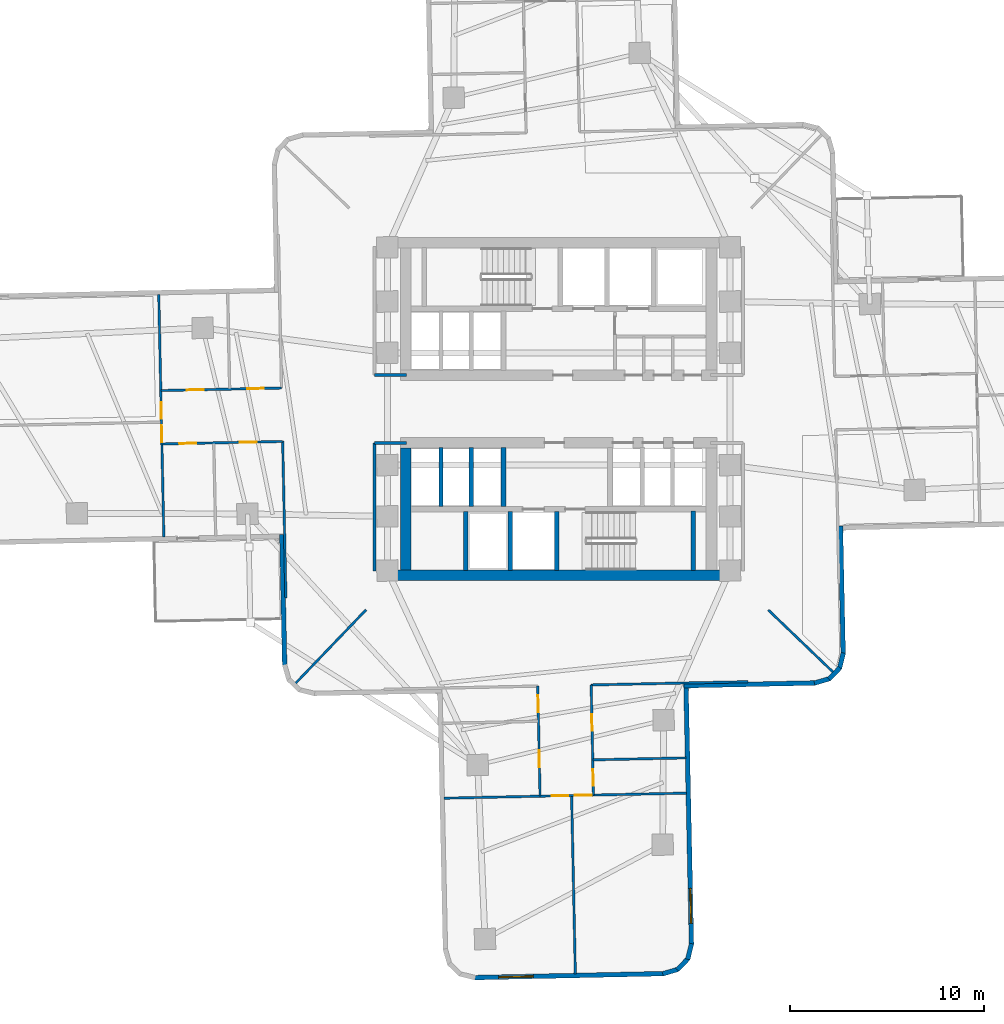
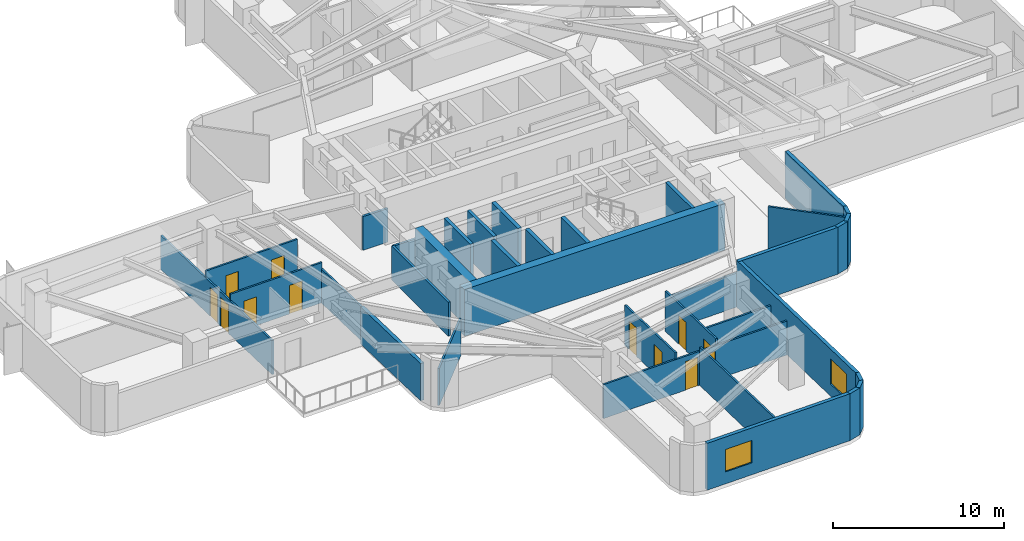
# One storey, part 3 of 10: 35 walls, 12 doors, 2 windows, 14 openings.
"""IFC4 building model written with IfcOpenShell, lengths in metres."""

from ifc_helpers import new_model, si_unit, direction, frame, frame_2d, origin, place, context, subcontext, project, spatial, rectangle, extrude, material, layer, layer_set, type_object, element, fill, save


model = new_model("IFC4")

# Units and contexts
model_context = context("Model", 3, precision=1e-05, world=origin(), true_north=direction((0.0, 1.0)))
body_context = subcontext(model_context, "Body", "Model", "MODEL_VIEW")
ifc_project = project(units=[si_unit("LENGTHUNIT", "METRE"), si_unit("AREAUNIT", "SQUARE_METRE"), si_unit("VOLUMEUNIT", "CUBIC_METRE"), si_unit("PLANEANGLEUNIT", "RADIAN"), si_unit("MASSUNIT", "GRAM", prefix="KILO")], contexts=[model_context])

# Site, building, storey
site_placement = place(None, origin())
site = spatial("IfcSite", under=ifc_project, at=site_placement, CompositionType="ELEMENT")
building_placement = place(site_placement, origin())
building = spatial("IfcBuilding", under=site, at=building_placement, Name="Solmarez Civic Tower", CompositionType="ELEMENT")
storey_placement = place(building_placement, frame((0.0, 0.0, 35.280029296875)))
storey = spatial("IfcBuildingStorey", under=building, at=storey_placement, Name="L08", CompositionType="ELEMENT", Elevation=35.280029296875)

# Walls
ifc_material_1 = material(Name="Concrete C60/75", Category="concrete")
ifc_layer_1 = layer(ifc_material_1, 0.550048828125)
ifc_layer_set_1 = layer_set([ifc_layer_1], Name="Concrete C60/75")
wall_type_1 = type_object("IfcWallType", Name="WALL-CORE-550", PredefinedType="SHEAR", material=ifc_layer_set_1)
wall_1_placement = place(storey_placement, frame((8.780029296875, -8.5849609375, 0.0), z_axis=(0.0, 0.0, 1.0), x_axis=(-1.0, 0.0, 0.0)))
element("IfcWall", 1, at=wall_1_placement, inside=storey, type_object=wall_type_1, Name="L08 Split-Core Structural Wall SCW-S-L08", PredefinedType="SHEAR", context=body_context, shape_type="SweptSolid", body=[
    extrude(rectangle(XDim=17.56005859375, YDim=0.550048828125, at=frame_2d((8.780029296875, 0.0))), origin(), (0.0, 0.0, 1.0), 3.340087890625),
])
wall_2_placement = place(storey_placement, frame((-7.89501953125, -8.31005859375, 0.0), z_axis=(0.0, 0.0, 1.0), x_axis=(0.0, 1.0, 0.0)))
element("IfcWall", 2, at=wall_2_placement, inside=storey, type_object=wall_type_1, Name="L08 Split-Core Structural Wall SCW-W-L08", PredefinedType="SHEAR", context=body_context, shape_type="SweptSolid", body=[
    extrude(rectangle(XDim=6.28515625, YDim=0.550048828125, at=frame_2d((3.142578125, 0.0))), origin(), (0.0, 0.0, 1.0), 3.340087890625),
])
ifc_material_2 = material(Name="Precast concrete C40/50", Category="concrete")
ifc_layer_2 = layer(ifc_material_2, 0.239990234375)
ifc_layer_set_2 = layer_set([ifc_layer_2], Name="Precast concrete C40/50")
wall_type_2 = type_object("IfcWallType", Name="WALL-EXT-240", PredefinedType="SOLIDWALL", material=ifc_layer_set_2)
wall_3_placement = place(storey_placement, frame((14.55908203125, -6.041015625, 0.0), z_axis=(0.0, 0.0, 1.0), x_axis=(0.021149327571, -0.999776327957, 0.0)))
element("IfcWall", 3, at=wall_3_placement, inside=storey, type_object=wall_type_2, Name="L08 Exterior Precast Wall 49", PredefinedType="SOLIDWALL", context=body_context, shape_type="SweptSolid", body=[
    extrude(rectangle(XDim=6.614501953125, YDim=0.239990234375, at=frame_2d((3.30712890625, 0.0))), origin(), (0.0, 0.0, 1.0), 3.340087890625),
])
wall_4_placement = place(storey_placement, frame((14.7041015625, -12.60498046875, 0.0), z_axis=(0.0, 0.0, 1.0), x_axis=(-0.238588013371, -0.971120878097, 0.0)))
element("IfcWall", 4, at=wall_4_placement, inside=storey, type_object=wall_type_2, Name="L08 Exterior Precast Wall 50", PredefinedType="SOLIDWALL", context=body_context, shape_type="SweptSolid", body=[
    extrude(rectangle(XDim=0.829833984375, YDim=0.239990234375, at=frame_2d((0.4150390625, 0.0))), origin(), (0.0, 0.0, 1.0), 3.340087890625),
])
wall_5_placement = place(storey_placement, frame((14.529052734375, -13.368896484375, 0.0), z_axis=(0.0, 0.0, 1.0), x_axis=(-0.692094379202, -0.721807017337, 0.0)))
element("IfcWall", 5, at=wall_5_placement, inside=storey, type_object=wall_type_2, Name="L08 Exterior Precast Wall 51", PredefinedType="SOLIDWALL", context=body_context, shape_type="SweptSolid", body=[
    extrude(rectangle(XDim=0.8134765625, YDim=0.239990234375, at=frame_2d((0.40673828125, 0.0))), origin(), (0.0, 0.0, 1.0), 3.340087890625),
])
wall_6_placement = place(storey_placement, frame((14.007080078125, -13.930908203125, 0.0), z_axis=(0.0, 0.0, 1.0), x_axis=(-0.960102033401, -0.279649933772, 0.0)))
element("IfcWall", 6, at=wall_6_placement, inside=storey, type_object=wall_type_2, Name="L08 Exterior Precast Wall 52", PredefinedType="SOLIDWALL", context=body_context, shape_type="SweptSolid", body=[
    extrude(rectangle(XDim=0.830322265625, YDim=0.239990234375, at=frame_2d((0.4150390625, 0.0))), origin(), (0.0, 0.0, 1.0), 3.340087890625),
])
wall_7_placement = place(storey_placement, frame((13.259033203125, -14.155029296875, 0.0), z_axis=(0.0, 0.0, 1.0), x_axis=(-0.999777124284, -0.021111649844, 0.0)))
element("IfcWall", 7, at=wall_7_placement, inside=storey, type_object=wall_type_2, Name="L08 Exterior Precast Wall 53", PredefinedType="SOLIDWALL", context=body_context, shape_type="SweptSolid", body=[
    extrude(rectangle(XDim=6.776611328125, YDim=0.239990234375, at=frame_2d((3.38818359375, 0.0))), origin(), (0.0, 0.0, 1.0), 3.340087890625),
])

# Wall, opening, window
wall_8_placement = place(storey_placement, frame((6.577880859375, -14.199951171875, 0.0), z_axis=(0.0, 0.0, 1.0), x_axis=(0.021016704444, -0.999779124674, 0.0)))
wall_8 = element("IfcWall", 8, at=wall_8_placement, inside=storey, type_object=wall_type_2, Name="L08 Exterior Precast Wall 56", PredefinedType="SOLIDWALL", context=body_context, shape_type="SweptSolid", body=[
    extrude(rectangle(XDim=13.47509765625, YDim=0.239990234375, at=frame_2d((6.737548828125, 0.0))), origin(), (0.0, 0.0, 1.0), 3.340087890625),
])
opening_1_placement = place(wall_8_placement, frame((10.574951171875, 0.0, 0.85009765625)))
opening_1 = element("IfcOpeningElement", 9, at=opening_1_placement, cuts=wall_8, Name="Opening W-08", PredefinedType="OPENING", context=body_context, shape_type="SweptSolid", body=[
    extrude(rectangle(XDim=1.800048828125, YDim=1.800048828125, at=frame_2d((0.89990234375, 0.89990234375))), frame((0.0, 0.1298828125, 0.0), z_axis=(0.0, -1.0, 0.0), x_axis=(1.0, 0.0, 0.0)), (0.0, 0.0, 1.0), 0.260009765625),
])
ifc_material_3 = material(Name="Solar Control Bronze-Tinted Insulating Glass", Category="glass")
window_type_1 = type_object("IfcWindowType", Name="WIN-1800X1800", PartitioningType="SINGLE_PANEL", PredefinedType="WINDOW", material=ifc_material_3)
window_1_placement = place(opening_1_placement, origin())
window_1 = element("IfcWindow", 10, at=window_1_placement, inside=storey, type_object=window_type_1, Name="L08 Exterior Facade Window 56", OverallHeight=1.800048828125, OverallWidth=1.800048828125, PartitioningType="SINGLE_PANEL", PredefinedType="WINDOW", context=body_context, shape_type="SweptSolid", body=[
    extrude(rectangle(XDim=1.800048828125, YDim=1.800048828125, at=frame_2d((0.89990234375, 0.89990234375))), frame((0.0, 0.030029296875, 0.0), z_axis=(0.0, -1.0, 0.0), x_axis=(1.0, 0.0, 0.0)), (0.0, 0.0, 1.0), 0.06005859375),
])
fill(opening_1, window_1)

# Walls
wall_9_placement = place(storey_placement, frame((6.865966796875, -27.623046875, 0.0), z_axis=(0.0, 0.0, 1.0), x_axis=(-0.238860968489, -0.971053776952, 0.0)))
element("IfcWall", 11, at=wall_9_placement, inside=storey, type_object=wall_type_2, Name="L08 Exterior Precast Wall 57", PredefinedType="SOLIDWALL", context=body_context, shape_type="SweptSolid", body=[
    extrude(rectangle(XDim=0.828857421875, YDim=0.239990234375, at=frame_2d((0.41455078125, 0.0))), origin(), (0.0, 0.0, 1.0), 3.340087890625),
])
wall_10_placement = place(storey_placement, frame((6.69091796875, -28.385986328125, 0.0), z_axis=(0.0, 0.0, 1.0), x_axis=(-0.690868229845, -0.722980697523, 0.0)))
element("IfcWall", 12, at=wall_10_placement, inside=storey, type_object=wall_type_2, Name="L08 Exterior Precast Wall 58", PredefinedType="SOLIDWALL", context=body_context, shape_type="SweptSolid", body=[
    extrude(rectangle(XDim=0.8134765625, YDim=0.239990234375, at=frame_2d((0.40673828125, 0.0))), origin(), (0.0, 0.0, 1.0), 3.340087890625),
])
wall_11_placement = place(storey_placement, frame((6.169921875, -28.948974609375, 0.0), z_axis=(0.0, 0.0, 1.0), x_axis=(-0.960564264415, -0.278058076541, 0.0)))
element("IfcWall", 13, at=wall_11_placement, inside=storey, type_object=wall_type_2, Name="L08 Exterior Precast Wall 59", PredefinedType="SOLIDWALL", context=body_context, shape_type="SweptSolid", body=[
    extrude(rectangle(XDim=0.83056640625, YDim=0.239990234375, at=frame_2d((0.415283203125, 0.0))), origin(), (0.0, 0.0, 1.0), 3.340087890625),
])

# Wall, opening, window
wall_12_placement = place(storey_placement, frame((5.4208984375, -29.172119140625, 0.0), z_axis=(0.0, 0.0, 1.0), x_axis=(-0.999778461458, -0.021048230433, 0.0)))
wall_12 = element("IfcWall", 14, at=wall_12_placement, inside=storey, type_object=wall_type_2, Name="L08 Exterior Precast Wall 60", PredefinedType="SOLIDWALL", context=body_context, shape_type="SweptSolid", body=[
    extrude(rectangle(XDim=9.778076171875, YDim=0.239990234375, at=frame_2d((4.88916015625, 0.0))), origin(), (0.0, 0.0, 1.0), 3.340087890625),
])
opening_2_placement = place(wall_12_placement, frame((6.72705078125, 0.0, 0.85009765625)))
opening_2 = element("IfcOpeningElement", 15, at=opening_2_placement, cuts=wall_12, Name="Opening W-12", PredefinedType="OPENING", context=body_context, shape_type="SweptSolid", body=[
    extrude(rectangle(XDim=1.800048828125, YDim=1.60009765625, at=frame_2d((0.89990234375, 0.800048828125))), frame((0.0, 0.1298828125, 0.0), z_axis=(0.0, -1.0, 0.0), x_axis=(1.0, 0.0, 0.0)), (0.0, 0.0, 1.0), 0.260009765625),
])
window_type_2 = type_object("IfcWindowType", Name="WIN-1800X1600", PartitioningType="SINGLE_PANEL", PredefinedType="WINDOW", material=ifc_material_3)
window_2_placement = place(opening_2_placement, origin())
window_2 = element("IfcWindow", 16, at=window_2_placement, inside=storey, type_object=window_type_2, Name="L08 Exterior Facade Window 60", OverallHeight=1.60009765625, OverallWidth=1.800048828125, PartitioningType="SINGLE_PANEL", PredefinedType="WINDOW", context=body_context, shape_type="SweptSolid", body=[
    extrude(rectangle(XDim=1.800048828125, YDim=1.60009765625, at=frame_2d((0.89990234375, 0.800048828125))), frame((0.0, 0.030029296875, 0.0), z_axis=(0.0, -1.0, 0.0), x_axis=(1.0, 0.0, 0.0)), (0.0, 0.0, 1.0), 0.06005859375),
])
fill(opening_2, window_2)

# Walls
wall_13_placement = place(storey_placement, frame((-14.155029296875, -13.259033203125, 0.0), z_axis=(0.0, 0.0, 1.0), x_axis=(-0.021111649844, 0.999777124284, 0.0)))
element("IfcWall", 17, at=wall_13_placement, inside=storey, type_object=wall_type_2, Name="L08 Exterior Precast Wall 71", PredefinedType="SOLIDWALL", context=body_context, shape_type="SweptSolid", body=[
    extrude(rectangle(XDim=6.776611328125, YDim=0.239990234375, at=frame_2d((3.38818359375, 0.0))), origin(), (0.0, 0.0, 1.0), 2.64404296875),
])
ifc_material_4 = material(Name="Gypsum Board Acoustic Steel-Stud Partition", Category="steel")
ifc_layer_3 = layer(ifc_material_4, 0.14990234375)
ifc_layer_set_3 = layer_set([ifc_layer_3], Name="Gypsum Board Acoustic Steel-Stud Partition")
wall_type_3 = type_object("IfcWallType", Name="WALL-INT-FIRE-150", PredefinedType="PARTITIONING", material=ifc_layer_set_3)
wall_14_placement = place(storey_placement, frame((-7.85009765625, 1.75, 0.0), z_axis=(0.0, 0.0, 1.0), x_axis=(-1.0, 0.0, 0.0)))
element("IfcWall", 18, at=wall_14_placement, inside=storey, type_object=wall_type_3, Name="L08 Interior Partition CHW-L08-WN3", PredefinedType="PARTITIONING", context=body_context, shape_type="SweptSolid", body=[
    extrude(rectangle(XDim=1.669921875, YDim=0.14990234375, at=frame_2d((0.8349609375, 0.0))), origin(), (0.0, 0.0, 1.0), 2.405029296875),
])
wall_15_placement = place(storey_placement, frame((-9.52001953125, -8.3798828125, 0.0), z_axis=(0.0, 0.0, 1.0), x_axis=(0.0, 1.0, 0.0)))
element("IfcWall", 19, at=wall_15_placement, inside=storey, type_object=wall_type_3, Name="L08 Interior Partition CHW-L08-WS1", PredefinedType="PARTITIONING", context=body_context, shape_type="SweptSolid", body=[
    extrude(rectangle(XDim=6.6298828125, YDim=0.14990234375, at=frame_2d((3.31494140625, 0.0))), origin(), (0.0, 0.0, 1.0), 2.4208984375),
])
wall_16_placement = place(storey_placement, frame((-7.85009765625, -1.75, 0.0), z_axis=(0.0, 0.0, 1.0), x_axis=(-1.0, 0.0, 0.0)))
element("IfcWall", 20, at=wall_16_placement, inside=storey, type_object=wall_type_3, Name="L08 Interior Partition CHW-L08-WS3", PredefinedType="PARTITIONING", context=body_context, shape_type="SweptSolid", body=[
    extrude(rectangle(XDim=1.669921875, YDim=0.14990234375, at=frame_2d((0.8349609375, 0.0))), origin(), (0.0, 0.0, 1.0), 2.405029296875),
])
ifc_layer_4 = layer(ifc_material_4, 0.1201171875)
ifc_layer_set_4 = layer_set([ifc_layer_4], Name="Gypsum Board Acoustic Steel-Stud Partition")
wall_type_4 = type_object("IfcWallType", Name="WALL-INT-PART-120", PredefinedType="PARTITIONING", material=ifc_layer_set_4)
wall_17_placement = place(storey_placement, frame((-9.9541015625, -10.3798828125, 0.0), z_axis=(0.0, 0.0, 1.0), x_axis=(-0.692136602063, -0.721766530178, 0.0)))
element("IfcWall", 21, at=wall_17_placement, inside=storey, type_object=wall_type_4, Name="L08 Interior Partition PT-L08-QDIV-3", PredefinedType="PARTITIONING", context=body_context, shape_type="SweptSolid", body=[
    extrude(rectangle(XDim=5.2734375, YDim=0.1201171875, at=frame_2d((2.63671875, 0.0))), origin(), (0.0, 0.0, 1.0), 2.64404296875),
])
wall_18_placement = place(storey_placement, frame((10.823974609375, -10.3798828125, 0.0), z_axis=(0.0, 0.0, 1.0), x_axis=(0.721757981693, -0.692145516392, 0.0)))
element("IfcWall", 22, at=wall_18_placement, inside=storey, type_object=wall_type_4, Name="L08 Interior Partition PT-L08-QDIV-4", PredefinedType="PARTITIONING", context=body_context, shape_type="SweptSolid", body=[
    extrude(rectangle(XDim=4.658203125, YDim=0.1201171875, at=frame_2d((2.3291015625, 0.0))), origin(), (0.0, 0.0, 1.0), 3.340087890625),
])
wall_19_placement = place(storey_placement, frame((-14.258056640625, -1.6689453125, 0.0), z_axis=(0.0, 0.0, 1.0), x_axis=(0.020831948152, -0.999782991422, 0.0)))
element("IfcWall", 23, at=wall_19_placement, inside=storey, type_object=wall_type_4, Name="L08 Interior Partition PT-L08-W-EFL", PredefinedType="PARTITIONING", context=body_context, shape_type="SweptSolid", body=[
    extrude(rectangle(XDim=8.10986328125, YDim=0.1201171875, at=frame_2d((4.054931640625, 0.0))), origin(), (0.0, 0.0, 1.0), 2.4208984375),
])

# Wall, openings, doors
wall_20_placement = place(storey_placement, frame((-20.4970703125, -1.81005859375, 0.0), z_axis=(0.0, 0.0, 1.0), x_axis=(0.999779289494, 0.021008862393, 0.0)))
wall_20 = element("IfcWall", 24, at=wall_20_placement, inside=storey, type_object=wall_type_4, Name="L08 Interior Partition PT-L08-W-SL", PredefinedType="PARTITIONING", context=body_context, shape_type="SweptSolid", body=[
    extrude(rectangle(XDim=6.240478515625, YDim=0.1201171875, at=frame_2d((3.1201171875, 0.0))), origin(), (0.0, 0.0, 1.0), 2.868896484375),
])
opening_3_placement = place(wall_20_placement, frame((4.030029296875, 0.0, 0.0)))
opening_3 = element("IfcOpeningElement", 25, at=opening_3_placement, cuts=wall_20, Name="Opening D-14", PredefinedType="OPENING", context=body_context, shape_type="SweptSolid", body=[
    extrude(rectangle(XDim=0.860107421875, YDim=2.0400390625, at=frame_2d((0.43017578125, 1.02001953125))), frame((0.0, 0.070068359375, 0.0), z_axis=(0.0, -1.0, 0.0), x_axis=(1.0, 0.0, 0.0)), (0.0, 0.0, 1.0), 0.14013671875),
])
opening_4_placement = place(wall_20_placement, frame((0.909912109375, 0.0, 0.0)))
opening_4 = element("IfcOpeningElement", 26, at=opening_4_placement, cuts=wall_20, Name="Opening D-14", PredefinedType="OPENING", context=body_context, shape_type="SweptSolid", body=[
    extrude(rectangle(XDim=0.860107421875, YDim=2.0400390625, at=frame_2d((0.43017578125, 1.02001953125))), frame((0.0, 0.070068359375, 0.0), z_axis=(0.0, -1.0, 0.0), x_axis=(1.0, 0.0, 0.0)), (0.0, 0.0, 1.0), 0.14013671875),
])
ifc_material_5 = material(Name="Timber Storage and Pantry Door", Category="wood")
door_type = type_object("IfcDoorType", Name="DOOR-INT-850", OperationType="NOTDEFINED", PredefinedType="DOOR", material=ifc_material_5)
door_1_placement = place(opening_3_placement, origin())
door_1 = element("IfcDoor", 27, at=door_1_placement, inside=storey, type_object=door_type, Name="L08 Delegates Sitting Lounge First West Door", OperationType="SINGLE_SWING_LEFT", OverallHeight=2.0400390625, OverallWidth=0.860107421875, PredefinedType="DOOR", context=body_context, shape_type="SweptSolid", body=[
    extrude(rectangle(XDim=0.860107421875, YDim=2.0400390625, at=frame_2d((0.43017578125, 1.02001953125))), frame((0.0, 0.02490234375, 0.0), z_axis=(0.0, -1.0, 0.0), x_axis=(1.0, 0.0, 0.0)), (0.0, 0.0, 1.0), 0.050048828125),
])
fill(opening_3, door_1)
door_2_placement = place(opening_4_placement, origin())
door_2 = element("IfcDoor", 28, at=door_2_placement, inside=storey, type_object=door_type, Name="L08 Public Reception Room Second West Door", OperationType="SINGLE_SWING_RIGHT", OverallHeight=2.0400390625, OverallWidth=0.860107421875, PredefinedType="DOOR", context=body_context, shape_type="SweptSolid", body=[
    extrude(rectangle(XDim=0.860107421875, YDim=2.0400390625, at=frame_2d((0.43017578125, 1.02001953125))), frame((0.0, 0.02490234375, 0.0), z_axis=(0.0, -1.0, 0.0), x_axis=(1.0, 0.0, 0.0)), (0.0, 0.0, 1.0), 0.050048828125),
])
fill(opening_4, door_2)

wall_21_placement = place(storey_placement, frame((-14.31591796875, 1.080078125, 0.0), z_axis=(0.0, 0.0, 1.0), x_axis=(-0.99978249617, -0.020855703122, 0.0)))
wall_21 = element("IfcWall", 29, at=wall_21_placement, inside=storey, type_object=wall_type_4, Name="L08 Interior Partition PT-L08-W-SR", PredefinedType="PARTITIONING", context=body_context, shape_type="SweptSolid", body=[
    extrude(rectangle(XDim=6.239501953125, YDim=0.1201171875, at=frame_2d((3.11962890625, 0.0))), origin(), (0.0, 0.0, 1.0), 2.868896484375),
])
opening_5_placement = place(wall_21_placement, frame((0.909912109375, 0.0, 0.0)))
opening_5 = element("IfcOpeningElement", 30, at=opening_5_placement, cuts=wall_21, Name="Opening D-14", PredefinedType="OPENING", context=body_context, shape_type="SweptSolid", body=[
    extrude(rectangle(XDim=0.860107421875, YDim=2.0400390625, at=frame_2d((0.43017578125, 1.02001953125))), frame((0.0, 0.070068359375, 0.0), z_axis=(0.0, -1.0, 0.0), x_axis=(1.0, 0.0, 0.0)), (0.0, 0.0, 1.0), 0.14013671875),
])
opening_6_placement = place(wall_21_placement, frame((4.030029296875, 0.0, 0.0)))
opening_6 = element("IfcOpeningElement", 31, at=opening_6_placement, cuts=wall_21, Name="Opening D-14", PredefinedType="OPENING", context=body_context, shape_type="SweptSolid", body=[
    extrude(rectangle(XDim=0.860107421875, YDim=2.0400390625, at=frame_2d((0.43017578125, 1.02001953125))), frame((0.0, 0.070068359375, 0.0), z_axis=(0.0, -1.0, 0.0), x_axis=(1.0, 0.0, 0.0)), (0.0, 0.0, 1.0), 0.14013671875),
])
door_3_placement = place(opening_5_placement, origin())
door_3 = element("IfcDoor", 32, at=door_3_placement, inside=storey, type_object=door_type, Name="L08 Legislative Seminar Room Third West Door", OperationType="SINGLE_SWING_RIGHT", OverallHeight=2.0400390625, OverallWidth=0.860107421875, PredefinedType="DOOR", context=body_context, shape_type="SweptSolid", body=[
    extrude(rectangle(XDim=0.860107421875, YDim=2.0400390625, at=frame_2d((0.43017578125, 1.02001953125))), frame((0.0, 0.02490234375, 0.0), z_axis=(0.0, -1.0, 0.0), x_axis=(1.0, 0.0, 0.0)), (0.0, 0.0, 1.0), 0.050048828125),
])
fill(opening_5, door_3)
door_4_placement = place(opening_6_placement, origin())
door_4 = element("IfcDoor", 33, at=door_4_placement, inside=storey, type_object=door_type, Name="L08 Civic Training Classroom Fourth West Door", OperationType="SINGLE_SWING_LEFT", OverallHeight=2.0400390625, OverallWidth=0.860107421875, PredefinedType="DOOR", context=body_context, shape_type="SweptSolid", body=[
    extrude(rectangle(XDim=0.860107421875, YDim=2.0400390625, at=frame_2d((0.43017578125, 1.02001953125))), frame((0.0, 0.02490234375, 0.0), z_axis=(0.0, -1.0, 0.0), x_axis=(1.0, 0.0, 0.0)), (0.0, 0.0, 1.0), 0.050048828125),
])
fill(opening_6, door_4)

wall_22_placement = place(storey_placement, frame((-20.39599609375, -6.6240234375, 0.0), z_axis=(0.0, 0.0, 1.0), x_axis=(-0.020949931448, 0.999780526102, 0.0)))
wall_22 = element("IfcWall", 34, at=wall_22_placement, inside=storey, type_object=wall_type_4, Name="L08 Interior Partition PT-L08-W-END", PredefinedType="PARTITIONING", context=body_context, shape_type="SweptSolid", body=[
    extrude(rectangle(XDim=12.55078125, YDim=0.1201171875, at=frame_2d((6.275390625, 0.0))), origin(), (0.0, 0.0, 1.0), 2.4208984375),
])
opening_7_placement = place(wall_22_placement, frame((6.114990234375, 0.0, 0.0)))
opening_7 = element("IfcOpeningElement", 35, at=opening_7_placement, cuts=wall_22, Name="Opening D-14", PredefinedType="OPENING", context=body_context, shape_type="SweptSolid", body=[
    extrude(rectangle(XDim=0.860107421875, YDim=2.0400390625, at=frame_2d((0.43017578125, 1.02001953125))), frame((0.0, 0.070068359375, 0.0), z_axis=(0.0, -1.0, 0.0), x_axis=(1.0, 0.0, 0.0)), (0.0, 0.0, 1.0), 0.14013671875),
])
opening_8_placement = place(wall_22_placement, frame((4.9150390625, 0.0, 0.0)))
opening_8 = element("IfcOpeningElement", 36, at=opening_8_placement, cuts=wall_22, Name="Opening D-14", PredefinedType="OPENING", context=body_context, shape_type="SweptSolid", body=[
    extrude(rectangle(XDim=0.860107421875, YDim=2.0400390625, at=frame_2d((0.43017578125, 1.02001953125))), frame((0.0, 0.070068359375, 0.0), z_axis=(0.0, -1.0, 0.0), x_axis=(1.0, 0.0, 0.0)), (0.0, 0.0, 1.0), 0.14013671875),
])
door_5_placement = place(opening_7_placement, origin())
door_5 = element("IfcDoor", 37, at=door_5_placement, inside=storey, type_object=door_type, Name="L08 Civic Training Classroom Sixth West Door", OperationType="SINGLE_SWING_RIGHT", OverallHeight=2.0400390625, OverallWidth=0.860107421875, PredefinedType="DOOR", context=body_context, shape_type="SweptSolid", body=[
    extrude(rectangle(XDim=0.860107421875, YDim=2.0400390625, at=frame_2d((0.43017578125, 1.02001953125))), frame((0.0, 0.02490234375, 0.0), z_axis=(0.0, -1.0, 0.0), x_axis=(1.0, 0.0, 0.0)), (0.0, 0.0, 1.0), 0.050048828125),
])
fill(opening_7, door_5)
door_6_placement = place(opening_8_placement, origin())
door_6 = element("IfcDoor", 38, at=door_6_placement, inside=storey, type_object=door_type, Name="L08 Legislative Seminar Room Fifth West Door", OperationType="SINGLE_SWING_LEFT", OverallHeight=2.0400390625, OverallWidth=0.860107421875, PredefinedType="DOOR", context=body_context, shape_type="SweptSolid", body=[
    extrude(rectangle(XDim=0.860107421875, YDim=2.0400390625, at=frame_2d((0.43017578125, 1.02001953125))), frame((0.0, 0.02490234375, 0.0), z_axis=(0.0, -1.0, 0.0), x_axis=(1.0, 0.0, 0.0)), (0.0, 0.0, 1.0), 0.050048828125),
])
fill(opening_8, door_6)

# Walls
wall_23_placement = place(storey_placement, frame((1.6689453125, -14.258056640625, 0.0), z_axis=(0.0, 0.0, 1.0), x_axis=(0.999782991422, 0.020831948152, 0.0)))
element("IfcWall", 39, at=wall_23_placement, inside=storey, type_object=wall_type_4, Name="L08 Interior Partition PT-L08-S-EFL", PredefinedType="PARTITIONING", context=body_context, shape_type="SweptSolid", body=[
    extrude(rectangle(XDim=8.10986328125, YDim=0.1201171875, at=frame_2d((4.054931640625, 0.0))), origin(), (0.0, 0.0, 1.0), 2.4208984375),
])
wall_24_placement = place(storey_placement, frame((1.780029296875, -18.126953125, 0.0), z_axis=(0.0, 0.0, 1.0), x_axis=(0.999777812369, 0.02107903923, 0.0)))
element("IfcWall", 40, at=wall_24_placement, inside=storey, type_object=wall_type_4, Name="L08 Interior Partition PT-L08-S-LM", PredefinedType="PARTITIONING", context=body_context, shape_type="SweptSolid", body=[
    extrude(rectangle(XDim=4.794921875, YDim=0.1201171875, at=frame_2d((2.3974609375, 0.0))), origin(), (0.0, 0.0, 1.0), 2.4208984375),
])

# Wall, openings, doors
wall_25_placement = place(storey_placement, frame((1.798095703125, -19.947021484375, 0.0), z_axis=(0.0, 0.0, 1.0), x_axis=(-0.02093781738, 0.999780779873, 0.0)))
wall_25 = element("IfcWall", 41, at=wall_25_placement, inside=storey, type_object=wall_type_4, Name="L08 Interior Partition PT-L08-S-SL", PredefinedType="PARTITIONING", context=body_context, shape_type="SweptSolid", body=[
    extrude(rectangle(XDim=5.690185546875, YDim=0.1201171875, at=frame_2d((2.84521484375, 0.0))), origin(), (0.0, 0.0, 1.0), 2.868896484375),
])
opening_9_placement = place(wall_25_placement, frame((3.324951171875, 0.0, 0.0)))
opening_9 = element("IfcOpeningElement", 42, at=opening_9_placement, cuts=wall_25, Name="Opening D-14", PredefinedType="OPENING", context=body_context, shape_type="SweptSolid", body=[
    extrude(rectangle(XDim=0.860107421875, YDim=2.0400390625, at=frame_2d((0.43017578125, 1.02001953125))), frame((0.0, 0.070068359375, 0.0), z_axis=(0.0, -1.0, 0.0), x_axis=(1.0, 0.0, 0.0)), (0.0, 0.0, 1.0), 0.14013671875),
])
opening_10_placement = place(wall_25_placement, frame((0.47998046875, 0.0, 0.0)))
opening_10 = element("IfcOpeningElement", 43, at=opening_10_placement, cuts=wall_25, Name="Opening D-14", PredefinedType="OPENING", context=body_context, shape_type="SweptSolid", body=[
    extrude(rectangle(XDim=0.860107421875, YDim=2.0400390625, at=frame_2d((0.43017578125, 1.02001953125))), frame((0.0, 0.070068359375, 0.0), z_axis=(0.0, -1.0, 0.0), x_axis=(1.0, 0.0, 0.0)), (0.0, 0.0, 1.0), 0.14013671875),
])
door_7_placement = place(opening_9_placement, origin())
door_7 = element("IfcDoor", 44, at=door_7_placement, inside=storey, type_object=door_type, Name="L08 Public Reception Room First South Door", OperationType="SINGLE_SWING_LEFT", OverallHeight=2.0400390625, OverallWidth=0.860107421875, PredefinedType="DOOR", context=body_context, shape_type="SweptSolid", body=[
    extrude(rectangle(XDim=0.860107421875, YDim=2.0400390625, at=frame_2d((0.43017578125, 1.02001953125))), frame((0.0, 0.02490234375, 0.0), z_axis=(0.0, -1.0, 0.0), x_axis=(1.0, 0.0, 0.0)), (0.0, 0.0, 1.0), 0.050048828125),
])
fill(opening_9, door_7)
door_8_placement = place(opening_10_placement, origin())
door_8 = element("IfcDoor", 45, at=door_8_placement, inside=storey, type_object=door_type, Name="L08 Legislative Seminar Room Second South Door", OperationType="SINGLE_SWING_RIGHT", OverallHeight=2.0400390625, OverallWidth=0.860107421875, PredefinedType="DOOR", context=body_context, shape_type="SweptSolid", body=[
    extrude(rectangle(XDim=0.860107421875, YDim=2.0400390625, at=frame_2d((0.43017578125, 1.02001953125))), frame((0.0, 0.02490234375, 0.0), z_axis=(0.0, -1.0, 0.0), x_axis=(1.0, 0.0, 0.0)), (0.0, 0.0, 1.0), 0.050048828125),
])
fill(opening_10, door_8)

wall_26_placement = place(storey_placement, frame((-1.080078125, -14.31591796875, 0.0), z_axis=(0.0, 0.0, 1.0), x_axis=(0.02093781738, -0.999780779873, 0.0)))
wall_26 = element("IfcWall", 46, at=wall_26_placement, inside=storey, type_object=wall_type_4, Name="L08 Interior Partition PT-L08-S-SR", PredefinedType="PARTITIONING", context=body_context, shape_type="SweptSolid", body=[
    extrude(rectangle(XDim=5.690185546875, YDim=0.1201171875, at=frame_2d((2.84521484375, 0.0))), origin(), (0.0, 0.0, 1.0), 2.868896484375),
])
opening_11_placement = place(wall_26_placement, frame((0.47998046875, 0.0, 0.0)))
opening_11 = element("IfcOpeningElement", 47, at=opening_11_placement, cuts=wall_26, Name="Opening D-14", PredefinedType="OPENING", context=body_context, shape_type="SweptSolid", body=[
    extrude(rectangle(XDim=0.860107421875, YDim=2.0400390625, at=frame_2d((0.43017578125, 1.02001953125))), frame((0.0, 0.070068359375, 0.0), z_axis=(0.0, -1.0, 0.0), x_axis=(1.0, 0.0, 0.0)), (0.0, 0.0, 1.0), 0.14013671875),
])
opening_12_placement = place(wall_26_placement, frame((3.324951171875, 0.0, 0.0)))
opening_12 = element("IfcOpeningElement", 48, at=opening_12_placement, cuts=wall_26, Name="Opening D-14", PredefinedType="OPENING", context=body_context, shape_type="SweptSolid", body=[
    extrude(rectangle(XDim=0.860107421875, YDim=2.0400390625, at=frame_2d((0.43017578125, 1.02001953125))), frame((0.0, 0.070068359375, 0.0), z_axis=(0.0, -1.0, 0.0), x_axis=(1.0, 0.0, 0.0)), (0.0, 0.0, 1.0), 0.14013671875),
])
door_9_placement = place(opening_11_placement, origin())
door_9 = element("IfcDoor", 49, at=door_9_placement, inside=storey, type_object=door_type, Name="L08 Civic Training Classroom Third South Door", OperationType="SINGLE_SWING_RIGHT", OverallHeight=2.0400390625, OverallWidth=0.860107421875, PredefinedType="DOOR", context=body_context, shape_type="SweptSolid", body=[
    extrude(rectangle(XDim=0.860107421875, YDim=2.0400390625, at=frame_2d((0.43017578125, 1.02001953125))), frame((0.0, 0.02490234375, 0.0), z_axis=(0.0, -1.0, 0.0), x_axis=(1.0, 0.0, 0.0)), (0.0, 0.0, 1.0), 0.050048828125),
])
fill(opening_11, door_9)
door_10_placement = place(opening_12_placement, origin())
door_10 = element("IfcDoor", 50, at=door_10_placement, inside=storey, type_object=door_type, Name="L08 Delegates Sitting Lounge Fourth South Door", OperationType="SINGLE_SWING_LEFT", OverallHeight=2.0400390625, OverallWidth=0.860107421875, PredefinedType="DOOR", context=body_context, shape_type="SweptSolid", body=[
    extrude(rectangle(XDim=0.860107421875, YDim=2.0400390625, at=frame_2d((0.43017578125, 1.02001953125))), frame((0.0, 0.02490234375, 0.0), z_axis=(0.0, -1.0, 0.0), x_axis=(1.0, 0.0, 0.0)), (0.0, 0.0, 1.0), 0.050048828125),
])
fill(opening_12, door_10)

# Wall
wall_27_placement = place(storey_placement, frame((0.669921875, -20.030029296875, 0.0), z_axis=(0.0, 0.0, 1.0), x_axis=(0.020880459041, -0.999781979449, 0.0)))
element("IfcWall", 51, at=wall_27_placement, inside=storey, type_object=wall_type_4, Name="L08 Interior Partition PT-L08-S-TM", PredefinedType="PARTITIONING", context=body_context, shape_type="SweptSolid", body=[
    extrude(rectangle(XDim=9.155029296875, YDim=0.1201171875, at=frame_2d((4.57763671875, 0.0))), origin(), (0.0, 0.0, 1.0), 2.719970703125),
])

# Wall, openings, doors
wall_28_placement = place(storey_placement, frame((6.612060546875, -19.845947265625, 0.0), z_axis=(0.0, 0.0, 1.0), x_axis=(-0.999780491948, -0.020951561299, 0.0)))
wall_28 = element("IfcWall", 52, at=wall_28_placement, inside=storey, type_object=wall_type_4, Name="L08 Interior Partition PT-L08-S-END", PredefinedType="PARTITIONING", context=body_context, shape_type="SweptSolid", body=[
    extrude(rectangle(XDim=12.5498046875, YDim=0.1201171875, at=frame_2d((6.27490234375, 0.0))), origin(), (0.0, 0.0, 1.0), 2.4208984375),
])
opening_13_placement = place(wall_28_placement, frame((6.114990234375, 0.0, 0.0)))
opening_13 = element("IfcOpeningElement", 53, at=opening_13_placement, cuts=wall_28, Name="Opening D-14", PredefinedType="OPENING", context=body_context, shape_type="SweptSolid", body=[
    extrude(rectangle(XDim=0.860107421875, YDim=2.0400390625, at=frame_2d((0.43017578125, 1.02001953125))), frame((0.0, 0.070068359375, 0.0), z_axis=(0.0, -1.0, 0.0), x_axis=(1.0, 0.0, 0.0)), (0.0, 0.0, 1.0), 0.14013671875),
])
opening_14_placement = place(wall_28_placement, frame((4.9150390625, 0.0, 0.0)))
opening_14 = element("IfcOpeningElement", 54, at=opening_14_placement, cuts=wall_28, Name="Opening D-14", PredefinedType="OPENING", context=body_context, shape_type="SweptSolid", body=[
    extrude(rectangle(XDim=0.860107421875, YDim=2.0400390625, at=frame_2d((0.43017578125, 1.02001953125))), frame((0.0, 0.070068359375, 0.0), z_axis=(0.0, -1.0, 0.0), x_axis=(1.0, 0.0, 0.0)), (0.0, 0.0, 1.0), 0.14013671875),
])
door_11_placement = place(opening_13_placement, origin())
door_11 = element("IfcDoor", 55, at=door_11_placement, inside=storey, type_object=door_type, Name="L08 Delegates Sitting Lounge Sixth South Door", OperationType="SINGLE_SWING_RIGHT", OverallHeight=2.0400390625, OverallWidth=0.860107421875, PredefinedType="DOOR", context=body_context, shape_type="SweptSolid", body=[
    extrude(rectangle(XDim=0.860107421875, YDim=2.0400390625, at=frame_2d((0.43017578125, 1.02001953125))), frame((0.0, 0.02490234375, 0.0), z_axis=(0.0, -1.0, 0.0), x_axis=(1.0, 0.0, 0.0)), (0.0, 0.0, 1.0), 0.050048828125),
])
fill(opening_13, door_11)
door_12_placement = place(opening_14_placement, origin())
door_12 = element("IfcDoor", 56, at=door_12_placement, inside=storey, type_object=door_type, Name="L08 Civic Training Classroom Fifth South Door", OperationType="SINGLE_SWING_LEFT", OverallHeight=2.0400390625, OverallWidth=0.860107421875, PredefinedType="DOOR", context=body_context, shape_type="SweptSolid", body=[
    extrude(rectangle(XDim=0.860107421875, YDim=2.0400390625, at=frame_2d((0.43017578125, 1.02001953125))), frame((0.0, 0.02490234375, 0.0), z_axis=(0.0, -1.0, 0.0), x_axis=(1.0, 0.0, 0.0)), (0.0, 0.0, 1.0), 0.050048828125),
])
fill(opening_14, door_12)

# Walls
ifc_material_6 = material(Name="Concrete C50/60", Category="concrete")
ifc_layer_5 = layer(ifc_material_6, 0.300048828125)
ifc_layer_set_5 = layer_set([ifc_layer_5], Name="Concrete C50/60")
wall_type_5 = type_object("IfcWallType", Name="WALL-STR-300", PredefinedType="SOLIDWALL", material=ifc_layer_set_5)
wall_29_placement = place(storey_placement, frame((6.949951171875, -8.340087890625, 0.0), z_axis=(0.0, 0.0, 1.0), x_axis=(0.0, 1.0, 0.0)))
element("IfcWall", 57, at=wall_29_placement, inside=storey, type_object=wall_type_5, Name="L08 Split-Core Structural Wall SHW-SE-L08", PredefinedType="SOLIDWALL", context=body_context, shape_type="SweptSolid", body=[
    extrude(rectangle(XDim=3.06005859375, YDim=0.219970703125, at=frame_2d((1.530029296875, 0.0))), origin(), (0.0, 0.0, 1.0), 3.340087890625),
])
for number, where, z_axis, x_axis, name in (
    (58, (-0.10009765625, -8.340087890625, 0.0), (0.0, 0.0, 1.0), (0.0, 1.0, 0.0), "L08 Split-Core Structural Wall SHW-S1-L08"),
    (59, (-2.5, -8.340087890625, 0.0), (0.0, 0.0, 1.0), (0.0, 1.0, 0.0), "L08 Split-Core Structural Wall SHW-S2-L08"),
    (60, (-4.800048828125, -8.340087890625, 0.0), (0.0, 0.0, 1.0), (0.0, 1.0, 0.0), "L08 Split-Core Structural Wall SHW-S3-L08"),
):
    element("IfcWall", number, at=place(storey_placement, frame(where, z_axis=z_axis, x_axis=x_axis)), inside=storey, type_object=wall_type_5, Name=name, PredefinedType="SOLIDWALL", context=body_context, shape_type="SweptSolid", body=[
        extrude(rectangle(XDim=3.0400390625, YDim=0.25, at=frame_2d((1.52001953125, 0.0))), origin(), (0.0, 0.0, 1.0), 3.340087890625),
    ])
wall_30_placement = place(storey_placement, frame((-2.85009765625, -5.050048828125, 0.0), z_axis=(0.0, 0.0, 1.0), x_axis=(0.0, 1.0, 0.0)))
element("IfcWall", 61, at=wall_30_placement, inside=storey, type_object=wall_type_5, Name="L08 Split-Core Structural Wall SHW-SL1-L08", PredefinedType="SOLIDWALL", context=body_context, shape_type="SweptSolid", body=[
    extrude(rectangle(XDim=3.070068359375, YDim=0.25, at=frame_2d((1.53515625, 0.0))), origin(), (0.0, 0.0, 1.0), 3.340087890625),
])
for number, where, z_axis, x_axis, name in (
    (62, (-6.080078125, -5.050048828125, 0.0), (0.0, 0.0, 1.0), (0.0, 1.0, 0.0), "L08 Split-Core Structural Wall SHW-PLM-L08-1"),
    (63, (-4.52001953125, -5.050048828125, 0.0), (0.0, 0.0, 1.0), (0.0, 1.0, 0.0), "L08 Split-Core Structural Wall SHW-PLM-L08-2"),
):
    element("IfcWall", number, at=place(storey_placement, frame(where, z_axis=z_axis, x_axis=x_axis)), inside=storey, type_object=wall_type_5, Name=name, PredefinedType="SOLIDWALL", context=body_context, shape_type="SweptSolid", body=[
        extrude(rectangle(XDim=3.070068359375, YDim=0.219970703125, at=frame_2d((1.53515625, 0.0))), origin(), (0.0, 0.0, 1.0), 3.340087890625),
    ])

save(model, "model.ifc")
